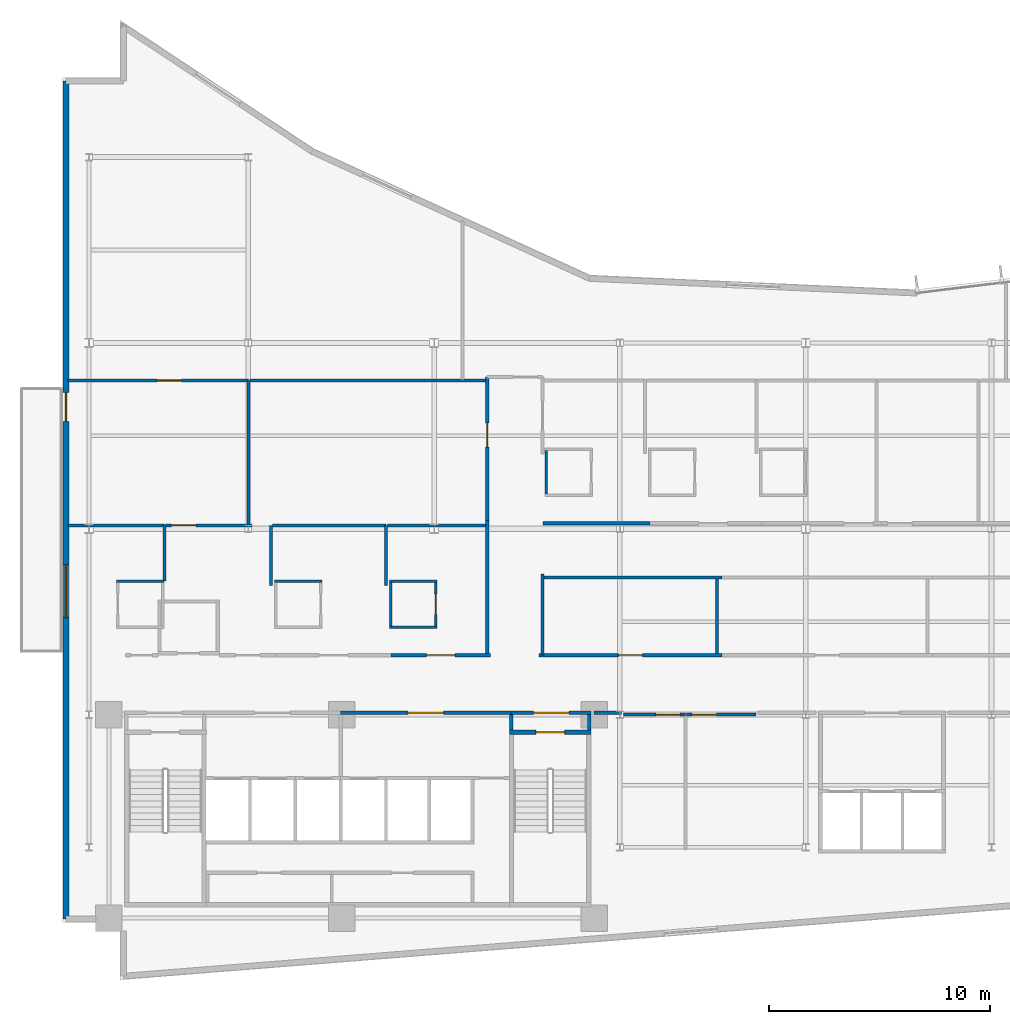
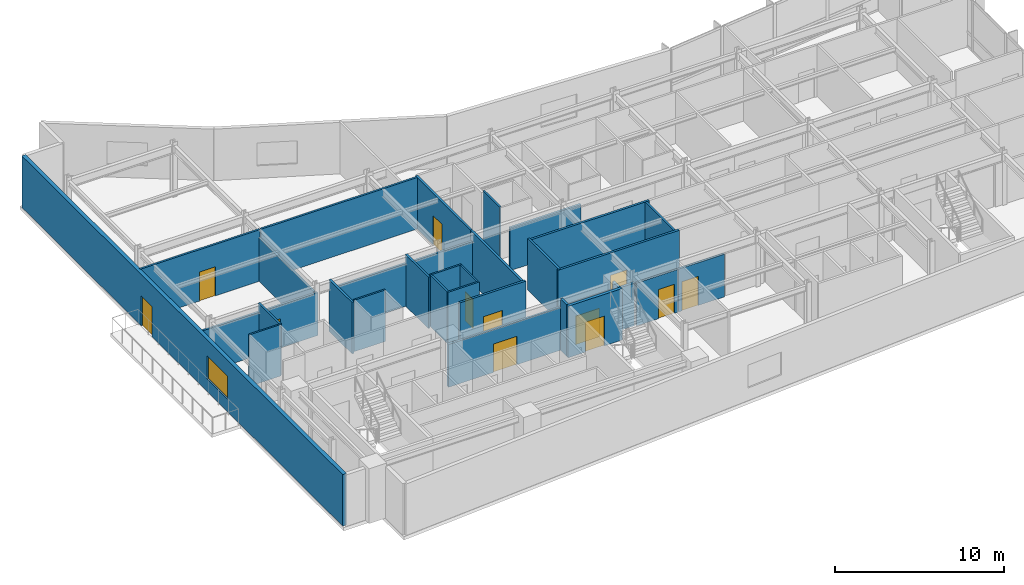
# One storey, part 11 of 18: 34 walls, 12 doors, 1 window, 13 openings.
"""IFC4 building model written with IfcOpenShell, lengths in metres."""

from ifc_helpers import new_model, si_unit, direction, frame, frame_2d, origin, place, context, subcontext, project, spatial, rectangle, extrude, material, layer, layer_set, type_object, element, fill, save


model = new_model("IFC4")

# Units and contexts
model_context = context("Model", 3, precision=1e-05, world=origin(), true_north=direction((0.0, 1.0)))
body_context = subcontext(model_context, "Body", "Model", "MODEL_VIEW")
ifc_project = project(units=[si_unit("LENGTHUNIT", "METRE"), si_unit("AREAUNIT", "SQUARE_METRE"), si_unit("VOLUMEUNIT", "CUBIC_METRE"), si_unit("PLANEANGLEUNIT", "RADIAN"), si_unit("MASSUNIT", "GRAM", prefix="KILO")], contexts=[model_context])

# Site, building, storey
site_placement = place(None, origin())
site = spatial("IfcSite", under=ifc_project, at=site_placement, CompositionType="ELEMENT")
building_placement = place(site_placement, origin())
building = spatial("IfcBuilding", under=site, at=building_placement, Name="Varnakote Quay Hospital", CompositionType="ELEMENT")
storey_placement = place(building_placement, frame((0.0, 0.0, 123.10009765625)))
storey = spatial("IfcBuildingStorey", under=building, at=storey_placement, Name="L30", CompositionType="ELEMENT", Elevation=123.10009765625)

# Wall, opening, door
ifc_material_1 = material(Name="Fire-rated acoustic gypsum stud wall", Category="gypsum")
ifc_layer_1 = layer(ifc_material_1, 0.159912109375)
ifc_layer_set_1 = layer_set([ifc_layer_1], Name="Fire-rated acoustic gypsum stud wall")
wall_type_1 = type_object("IfcWallType", Name="WL-COMP-160", PredefinedType="PARTITIONING", material=ifc_layer_set_1)
wall_1_placement = place(storey_placement, frame((12.580078125, 12.080078125, 0.0), z_axis=(0.0, 0.0, 1.0), x_axis=(1.0, 0.0, 0.0)))
wall_1 = element("IfcWall", 1, at=wall_1_placement, inside=storey, type_object=wall_type_1, Name="L30 Clinical Bed Lift Lobby Wall", PredefinedType="PARTITIONING", context=body_context, shape_type="SweptSolid", body=[
    extrude(rectangle(XDim=7.699951171875, YDim=0.159912109375, at=frame_2d((3.85009765625, 0.0))), origin(), (0.0, 0.0, 1.0), 3.0830078125),
])
opening_1_placement = place(wall_1_placement, frame((3.050048828125, 0.0, 0.0)))
opening_1 = element("IfcOpeningElement", 2, at=opening_1_placement, cuts=wall_1, Name="Opening D-SVL-L30", PredefinedType="OPENING", context=body_context, shape_type="SweptSolid", body=[
    extrude(rectangle(XDim=1.60009765625, YDim=2.050048828125, at=frame_2d((0.800048828125, 1.02490234375))), frame((0.0, 0.08984375, 0.0), z_axis=(0.0, -1.0, 0.0), x_axis=(1.0, 0.0, 0.0)), (0.0, 0.0, 1.0), 0.179931640625),
])
ifc_material_2 = material(Name="Fire-rated double smoke lobby door")
door_type_1 = type_object("IfcDoorType", Name="DR-LOBBY-FD60S-1600x2150", OperationType="NOTDEFINED", PredefinedType="DOOR", material=ifc_material_2)
door_1_placement = place(opening_1_placement, origin())
door_1 = element("IfcDoor", 3, at=door_1_placement, inside=storey, type_object=door_type_1, Name="L30 Clinical Core Smoke Vestibule Door", OperationType="DOUBLE_DOOR_SINGLE_SWING", OverallHeight=2.050048828125, OverallWidth=1.60009765625, PredefinedType="DOOR", context=body_context, shape_type="SweptSolid", body=[
    extrude(rectangle(XDim=1.60009765625, YDim=2.050048828125, at=frame_2d((0.800048828125, 1.02490234375))), frame((0.0, 0.02490234375, 0.0), z_axis=(0.0, -1.0, 0.0), x_axis=(1.0, 0.0, 0.0)), (0.0, 0.0, 1.0), 0.050048828125),
])
fill(opening_1, door_1)

# Wall
wall_2_placement = place(storey_placement, frame((20.280029296875, 11.300048828125, 0.0), z_axis=(0.0, 0.0, 1.0), x_axis=(0.0, 1.0, 0.0)))
element("IfcWall", 4, at=wall_2_placement, inside=storey, type_object=wall_type_1, Name="L30 East Stair Vestibule Divider Wall", PredefinedType="PARTITIONING", context=body_context, shape_type="SweptSolid", body=[
    extrude(rectangle(XDim=0.699951171875, YDim=0.159912109375, at=frame_2d((0.35009765625, 0.0))), origin(), (0.0, 0.0, 1.0), 3.7099609375),
])

# Wall, opening, door
wall_3_placement = place(storey_placement, frame((20.280029296875, 12.080078125, 0.0), z_axis=(0.0, 0.0, 1.0), x_axis=(1.0, 0.0, 0.0)))
wall_3 = element("IfcWall", 5, at=wall_3_placement, inside=storey, type_object=wall_type_1, Name="L30 East Stair Vestibule Smoke Wall", PredefinedType="PARTITIONING", context=body_context, shape_type="SweptSolid", body=[
    extrude(rectangle(XDim=3.619873046875, YDim=0.159912109375, at=frame_2d((1.81005859375, 0.0))), origin(), (0.0, 0.0, 1.0), 3.0830078125),
])
opening_2_placement = place(wall_3_placement, frame((1.010009765625, 0.0, 0.0)))
opening_2 = element("IfcOpeningElement", 6, at=opening_2_placement, cuts=wall_3, Name="Opening D-ST2L-L30", PredefinedType="OPENING", context=body_context, shape_type="SweptSolid", body=[
    extrude(rectangle(XDim=1.60009765625, YDim=2.050048828125, at=frame_2d((0.800048828125, 1.02490234375))), frame((0.0, 0.08984375, 0.0), z_axis=(0.0, -1.0, 0.0), x_axis=(1.0, 0.0, 0.0)), (0.0, 0.0, 1.0), 0.179931640625),
])
door_2_placement = place(opening_2_placement, origin())
door_2 = element("IfcDoor", 7, at=door_2_placement, inside=storey, type_object=door_type_1, Name="L30 East Stair Vestibule Smoke Door", OperationType="DOUBLE_DOOR_SINGLE_SWING", OverallHeight=2.050048828125, OverallWidth=1.60009765625, PredefinedType="DOOR", context=body_context, shape_type="SweptSolid", body=[
    extrude(rectangle(XDim=1.60009765625, YDim=2.050048828125, at=frame_2d((0.800048828125, 1.02490234375))), frame((0.0, 0.02490234375, 0.0), z_axis=(0.0, -1.0, 0.0), x_axis=(1.0, 0.0, 0.0)), (0.0, 0.0, 1.0), 0.050048828125),
])
fill(opening_2, door_2)

# Walls
wall_4_placement = place(storey_placement, frame((23.820068359375, 11.300048828125, 0.0), z_axis=(0.0, 0.0, 1.0), x_axis=(0.0, 1.0, 0.0)))
element("IfcWall", 8, at=wall_4_placement, inside=storey, type_object=wall_type_1, Name="L30 East Stair Vestibule East Wall", PredefinedType="PARTITIONING", context=body_context, shape_type="SweptSolid", body=[
    extrude(rectangle(XDim=0.699951171875, YDim=0.159912109375, at=frame_2d((0.35009765625, 0.0))), origin(), (0.0, 0.0, 1.0), 3.7099609375),
])
wall_5_placement = place(storey_placement, frame((24.02001953125, 12.080078125, 0.0), z_axis=(0.0, 0.0, 1.0), x_axis=(1.0, 0.0, 0.0)))
element("IfcWall", 9, at=wall_5_placement, inside=storey, type_object=wall_type_1, Name="L30 Corridor South Gap Wall", PredefinedType="PARTITIONING", context=body_context, shape_type="SweptSolid", body=[
    extrude(rectangle(XDim=1.2451171875, YDim=0.159912109375, at=frame_2d((0.62255859375, 0.0))), origin(), (0.0, 0.0, 1.0), 3.0830078125),
])
ifc_material_3 = material(Name="Moisture-resistant bathroom partition", Category="gypsum")
ifc_layer_2 = layer(ifc_material_3, 0.114990234375)
ifc_layer_set_2 = layer_set([ifc_layer_2], Name="Moisture-resistant bathroom partition")
wall_type_2 = type_object("IfcWallType", Name="WL-ENS-115", PredefinedType="PARTITIONING", material=ifc_layer_set_2)
wall_6_placement = place(storey_placement, frame((2.43505859375, 18.017578125, 0.0), z_axis=(0.0, 0.0, 1.0), x_axis=(1.0, 0.0, 0.0)))
element("IfcWall", 10, at=wall_6_placement, inside=storey, type_object=wall_type_2, Name="L30 Inpatient En-Suite Bathroom 01 N Wall", PredefinedType="PARTITIONING", context=body_context, shape_type="SweptSolid", body=[
    extrude(rectangle(XDim=2.14990234375, YDim=0.114990234375, at=frame_2d((1.074951171875, 0.0))), origin(), (0.0, 0.0, 1.0), 3.7099609375),
])
for number, where, z_axis, x_axis, name in (
    (11, (9.574951171875, 18.017578125, 0.0), (0.0, 0.0, 1.0), (1.0, 0.0, 0.0), "L30 Inpatient En-Suite Bathroom 02 N Wall"),
    (12, (14.77490234375, 15.952392578125, 0.0), (0.0, 0.0, 1.0), (1.0, 0.0, 0.0), "L30 Inpatient En-Suite Bathroom 03 S Wall"),
    (13, (14.77490234375, 18.017578125, 0.0), (0.0, 0.0, 1.0), (1.0, 0.0, 0.0), "L30 Inpatient En-Suite Bathroom 03 N Wall"),
):
    element("IfcWall", number, at=place(storey_placement, frame(where, z_axis=z_axis, x_axis=x_axis)), inside=storey, type_object=wall_type_2, Name=name, PredefinedType="PARTITIONING", context=body_context, shape_type="SweptSolid", body=[
        extrude(rectangle(XDim=2.150146484375, YDim=0.114990234375, at=frame_2d((1.0751953125, 0.0))), origin(), (0.0, 0.0, 1.0), 3.7099609375),
    ])
wall_7_placement = place(storey_placement, frame((14.83251953125, 16.010009765625, 0.0), z_axis=(0.0, 0.0, 1.0), x_axis=(0.0, 1.0, 0.0)))
element("IfcWall", 14, at=wall_7_placement, inside=storey, type_object=wall_type_2, Name="L30 Inpatient En-Suite Bathroom 03 W Wall", PredefinedType="PARTITIONING", context=body_context, shape_type="SweptSolid", body=[
    extrude(rectangle(XDim=1.949951171875, YDim=0.114990234375, at=frame_2d((0.97509765625, 0.0))), origin(), (0.0, 0.0, 1.0), 3.7099609375),
])

# Wall, opening, door
wall_8_placement = place(storey_placement, frame((16.867431640625, 16.010009765625, 0.0), z_axis=(0.0, 0.0, 1.0), x_axis=(0.0, 1.0, 0.0)))
wall_8 = element("IfcWall", 15, at=wall_8_placement, inside=storey, type_object=wall_type_2, Name="L30 Inpatient En-Suite Bathroom 03 E Wall", PredefinedType="PARTITIONING", context=body_context, shape_type="SweptSolid", body=[
    extrude(rectangle(XDim=1.949951171875, YDim=0.114990234375, at=frame_2d((0.97509765625, 0.0))), origin(), (0.0, 0.0, 1.0), 3.7099609375),
])
opening_3_placement = place(wall_8_placement, frame((0.514892578125, 0.0, 0.0)))
opening_3 = element("IfcOpeningElement", 16, at=opening_3_placement, cuts=wall_8, Name="Opening D-L30-ENS03", PredefinedType="OPENING", context=body_context, shape_type="SweptSolid", body=[
    extrude(rectangle(XDim=0.919921875, YDim=2.10009765625, at=frame_2d((0.4599609375, 1.050048828125))), frame((0.0, 0.0673828125, 0.0), z_axis=(0.0, -1.0, 0.0), x_axis=(1.0, 0.0, 0.0)), (0.0, 0.0, 1.0), 0.135009765625),
])
ifc_material_4 = material(Name="Moisture-sealed en-suite bathroom door")
door_type_2 = type_object("IfcDoorType", Name="DR-ENS-920x2100", OperationType="NOTDEFINED", PredefinedType="DOOR", material=ifc_material_4)
door_3_placement = place(opening_3_placement, origin())
door_3 = element("IfcDoor", 17, at=door_3_placement, inside=storey, type_object=door_type_2, Name="L30 Inpatient En-Suite Bathroom 03 Door", OperationType="SINGLE_SWING_RIGHT", OverallHeight=2.10009765625, OverallWidth=0.919921875, PredefinedType="DOOR", context=body_context, shape_type="SweptSolid", body=[
    extrude(rectangle(XDim=0.919921875, YDim=2.10009765625, at=frame_2d((0.4599609375, 1.050048828125))), frame((0.0, 0.02490234375, 0.0), z_axis=(0.0, -1.0, 0.0), x_axis=(1.0, 0.0, 0.0)), (0.0, 0.0, 1.0), 0.050048828125),
])
fill(opening_3, door_3)

# Wall
wall_9_placement = place(storey_placement, frame((21.862548828125, 21.97998046875, 0.0), z_axis=(0.0, 0.0, 1.0), x_axis=(0.0, 1.0, 0.0)))
element("IfcWall", 18, at=wall_9_placement, inside=storey, type_object=wall_type_2, Name="L30 Inpatient En-Suite Bathroom 04 W Wall", PredefinedType="PARTITIONING", context=body_context, shape_type="SweptSolid", body=[
    extrude(rectangle(XDim=1.949951171875, YDim=0.114990234375, at=frame_2d((0.97509765625, 0.0))), origin(), (0.0, 0.0, 1.0), 3.7099609375),
])

# Wall, openings, door, window
ifc_material_5 = material(Name="Precast concrete N50 (f'c 50 MPa)", Category="concrete")
ifc_layer_3 = layer(ifc_material_5, 0.260009765625)
ifc_layer_set_3 = layer_set([ifc_layer_3], Name="Precast concrete N50 (f'c 50 MPa)")
wall_type_3 = type_object("IfcWallType", Name="WL-EXT-BRICK-260", PredefinedType="STANDARD", material=ifc_layer_set_3)
wall_10_placement = place(storey_placement, frame((0.159912109375, 40.639892578125, 0.0), z_axis=(0.0, 0.0, 1.0), x_axis=(0.0, -1.0, 0.0)))
wall_10 = element("IfcWall", 19, at=wall_10_placement, inside=storey, type_object=wall_type_3, Name="L30 Healing Terrace Portal Brick Wall", PredefinedType="STANDARD", context=body_context, shape_type="SweptSolid", body=[
    extrude(rectangle(XDim=37.8798828125, YDim=0.260009765625, at=frame_2d((18.93994140625, 0.0))), origin(), (0.0, 0.0, 1.0), 3.7099609375),
])
opening_4_placement = place(wall_10_placement, frame((14.0810546875, 0.0, 0.0)))
opening_4 = element("IfcOpeningElement", 20, at=opening_4_placement, cuts=wall_10, Name="Opening DT-L30", PredefinedType="OPENING", context=body_context, shape_type="SweptSolid", body=[
    extrude(rectangle(XDim=1.300048828125, YDim=2.14990234375, at=frame_2d((0.64990234375, 1.074951171875))), frame((0.0, 0.139892578125, 0.0), z_axis=(0.0, -1.0, 0.0), x_axis=(1.0, 0.0, 0.0)), (0.0, 0.0, 1.0), 0.280029296875),
])
opening_5_placement = place(wall_10_placement, frame((21.856201171875, 0.0, 0.89990234375)))
opening_5 = element("IfcOpeningElement", 21, at=opening_5_placement, cuts=wall_10, Name="Opening WN-0312", PredefinedType="OPENING", context=body_context, shape_type="SweptSolid", body=[
    extrude(rectangle(XDim=2.39990234375, YDim=1.64990234375, at=frame_2d((1.199951171875, 0.824951171875))), frame((0.0, 0.139892578125, 0.0), z_axis=(0.0, -1.0, 0.0), x_axis=(1.0, 0.0, 0.0)), (0.0, 0.0, 1.0), 0.280029296875),
])
ifc_material_6 = material(Name="Anodised aluminium glazed terrace door", Category="aluminium")
door_type_3 = type_object("IfcDoorType", Name="DR-EXT-TERR-1300x2150", OperationType="NOTDEFINED", PredefinedType="DOOR", material=ifc_material_6)
door_4_placement = place(opening_4_placement, origin())
door_4 = element("IfcDoor", 22, at=door_4_placement, inside=storey, type_object=door_type_3, Name="L30 Waterfront Healing Terrace Door", OperationType="SINGLE_SWING_LEFT", OverallHeight=2.14990234375, OverallWidth=1.300048828125, PredefinedType="DOOR", context=body_context, shape_type="SweptSolid", body=[
    extrude(rectangle(XDim=1.300048828125, YDim=2.14990234375, at=frame_2d((0.64990234375, 1.074951171875))), frame((0.0, 0.02490234375, 0.0), z_axis=(0.0, -1.0, 0.0), x_axis=(1.0, 0.0, 0.0)), (0.0, 0.0, 1.0), 0.050048828125),
])
fill(opening_4, door_4)
ifc_material_7 = material(Name="Double-glazed low-E solar glass", Category="glass")
window_type = type_object("IfcWindowType", Name="WIN-CLIN-2400x1650", PartitioningType="SINGLE_PANEL", PredefinedType="WINDOW", material=ifc_material_7)
window_placement = place(opening_5_placement, origin())
window = element("IfcWindow", 23, at=window_placement, inside=storey, type_object=window_type, Name="L30 Solar-Control Clinical Window", OverallHeight=1.64990234375, OverallWidth=2.39990234375, PartitioningType="SINGLE_PANEL", PredefinedType="WINDOW", context=body_context, shape_type="SweptSolid", body=[
    extrude(rectangle(XDim=2.39990234375, YDim=1.64990234375, at=frame_2d((1.199951171875, 0.824951171875))), frame((0.0, 0.030029296875, 0.0), z_axis=(0.0, -1.0, 0.0), x_axis=(1.0, 0.0, 0.0)), (0.0, 0.0, 1.0), 0.06005859375),
])
fill(opening_5, window)

# Wall, opening, door
ifc_material_8 = material(Name="Concrete N50 (f'c 50 MPa)", Category="concrete")
ifc_layer_4 = layer(ifc_material_8, 0.199951171875)
ifc_layer_set_4 = layer_set([ifc_layer_4], Name="Concrete N50 (f'c 50 MPa)")
wall_type_4 = type_object("IfcWallType", Name="WL-SHAFT-N50-200", PredefinedType="SHEAR", material=ifc_layer_set_4)
wall_11_placement = place(storey_placement, frame((20.199951171875, 11.199951171875, 0.0), z_axis=(0.0, 0.0, 1.0), x_axis=(1.0, 0.0, 0.0)))
wall_11 = element("IfcWall", 24, at=wall_11_placement, inside=storey, type_object=wall_type_4, Name="L30 Stair ST2 Exit Wall", PredefinedType="SHEAR", context=body_context, shape_type="SweptSolid", body=[
    extrude(rectangle(XDim=3.699951171875, YDim=0.199951171875, at=frame_2d((1.85009765625, 0.0))), origin(), (0.0, 0.0, 1.0), 3.7099609375),
])
opening_6_placement = place(wall_11_placement, frame((1.199951171875, 0.0, 0.0)))
opening_6 = element("IfcOpeningElement", 25, at=opening_6_placement, cuts=wall_11, Name="Opening D-ST2-L30", PredefinedType="OPENING", context=body_context, shape_type="SweptSolid", body=[
    extrude(rectangle(XDim=1.300048828125, YDim=2.14990234375, at=frame_2d((0.64990234375, 1.074951171875))), frame((0.0, 0.10986328125, 0.0), z_axis=(0.0, -1.0, 0.0), x_axis=(1.0, 0.0, 0.0)), (0.0, 0.0, 1.0), 0.219970703125),
])
ifc_material_9 = material(Name="Fire-rated ceramic-glazed timber exit door", Category="wood")
door_type_4 = type_object("IfcDoorType", Name="DR-STAIR-FD60S-1300x2150", OperationType="NOTDEFINED", PredefinedType="DOOR", material=ifc_material_9)
door_5_placement = place(opening_6_placement, origin())
door_5 = element("IfcDoor", 26, at=door_5_placement, inside=storey, type_object=door_type_4, Name="L30 Stair ST2 Fire Exit Door", OperationType="SINGLE_SWING_RIGHT", OverallHeight=2.14990234375, OverallWidth=1.300048828125, PredefinedType="DOOR", context=body_context, shape_type="SweptSolid", body=[
    extrude(rectangle(XDim=1.300048828125, YDim=2.14990234375, at=frame_2d((0.64990234375, 1.074951171875))), frame((0.0, 0.02490234375, 0.0), z_axis=(0.0, -1.0, 0.0), x_axis=(1.0, 0.0, 0.0)), (0.0, 0.0, 1.0), 0.050048828125),
])
fill(opening_6, door_5)

# Walls
ifc_material_10 = material(Name="Smoke-proof clinical partition", Category="gypsum")
ifc_layer_5 = layer(ifc_material_10, 0.135009765625)
ifc_layer_set_5 = layer_set([ifc_layer_5], Name="Smoke-proof clinical partition")
wall_type_5 = type_object("IfcWallType", Name="WL-SMOKE-135", PredefinedType="PARTITIONING", material=ifc_layer_set_5)
wall_12_placement = place(storey_placement, frame((4.610107421875, 18.0400390625, 0.0), z_axis=(0.0, 0.0, 1.0), x_axis=(0.0, 1.0, 0.0)))
element("IfcWall", 27, at=wall_12_placement, inside=storey, type_object=wall_type_5, Name="L30 Clinical Interior Partition", PredefinedType="PARTITIONING", context=body_context, shape_type="SweptSolid", body=[
    extrude(rectangle(XDim=2.510009765625, YDim=0.135009765625, at=frame_2d((1.2548828125, 0.0))), origin(), (0.0, 0.0, 1.0), 3.7099609375),
])
wall_13_placement = place(storey_placement, frame((4.610107421875, 20.550048828125, 0.0), z_axis=(0.0, 0.0, 1.0), x_axis=(-1.0, 0.0, 0.0)))
element("IfcWall", 28, at=wall_13_placement, inside=storey, type_object=wall_type_5, Name="L30 Clinical Interior Partition", PredefinedType="PARTITIONING", context=body_context, shape_type="SweptSolid", body=[
    extrude(rectangle(XDim=4.3701171875, YDim=0.135009765625, at=frame_2d((2.18505859375, 0.0))), origin(), (0.0, 0.0, 1.0), 3.0830078125),
])
wall_14_placement = place(storey_placement, frame((9.429931640625, 17.83251953125, 0.0), z_axis=(0.0, 0.0, 1.0), x_axis=(0.0, 1.0, 0.0)))
element("IfcWall", 29, at=wall_14_placement, inside=storey, type_object=wall_type_5, Name="L30 Clinical Interior Partition", PredefinedType="PARTITIONING", context=body_context, shape_type="SweptSolid", body=[
    extrude(rectangle(XDim=2.717529296875, YDim=0.135009765625, at=frame_2d((1.35888671875, 0.0))), origin(), (0.0, 0.0, 1.0), 3.7099609375),
])

# Wall, opening, door
wall_15_placement = place(storey_placement, frame((8.568359375, 20.550048828125, 0.0), z_axis=(0.0, 0.0, 1.0), x_axis=(-1.0, 0.0, 0.0)))
wall_15 = element("IfcWall", 30, at=wall_15_placement, inside=storey, type_object=wall_type_5, Name="L30 Clinical Interior Partition", PredefinedType="PARTITIONING", context=body_context, shape_type="SweptSolid", body=[
    extrude(rectangle(XDim=3.90087890625, YDim=0.135009765625, at=frame_2d((1.950439453125, 0.0))), origin(), (0.0, 0.0, 1.0), 3.0830078125),
])
opening_7_placement = place(wall_15_placement, frame((2.540771484375, 0.0, 0.0)))
opening_7 = element("IfcOpeningElement", 31, at=opening_7_placement, cuts=wall_15, Name="Opening D-L30-DLNG", PredefinedType="OPENING", context=body_context, shape_type="SweptSolid", body=[
    extrude(rectangle(XDim=1.10009765625, YDim=2.10009765625, at=frame_2d((0.550048828125, 1.050048828125))), frame((0.0, 0.077392578125, 0.0), z_axis=(0.0, -1.0, 0.0), x_axis=(1.0, 0.0, 0.0)), (0.0, 0.0, 1.0), 0.155029296875),
])
ifc_material_11 = material(Name="Acoustic timber clinical consult door", Category="wood")
door_type_5 = type_object("IfcDoorType", Name="DR-CLIN-FD30S-1100x2100", OperationType="NOTDEFINED", PredefinedType="DOOR", material=ifc_material_11)
door_6_placement = place(opening_7_placement, origin())
door_6 = element("IfcDoor", 32, at=door_6_placement, inside=storey, type_object=door_type_5, Name="L30 Waterfront Patient & Family Dayroom Door", OperationType="SINGLE_SWING_RIGHT", OverallHeight=2.10009765625, OverallWidth=1.10009765625, PredefinedType="DOOR", context=body_context, shape_type="SweptSolid", body=[
    extrude(rectangle(XDim=1.10009765625, YDim=2.10009765625, at=frame_2d((0.550048828125, 1.050048828125))), frame((0.0, 0.02490234375, 0.0), z_axis=(0.0, -1.0, 0.0), x_axis=(1.0, 0.0, 0.0)), (0.0, 0.0, 1.0), 0.050048828125),
])
fill(opening_7, door_6)

# Walls
wall_16_placement = place(storey_placement, frame((14.6298828125, 17.83251953125, 0.0), z_axis=(0.0, 0.0, 1.0), x_axis=(0.0, 1.0, 0.0)))
element("IfcWall", 33, at=wall_16_placement, inside=storey, type_object=wall_type_5, Name="L30 Clinical Interior Partition", PredefinedType="PARTITIONING", context=body_context, shape_type="SweptSolid", body=[
    extrude(rectangle(XDim=2.717529296875, YDim=0.135009765625, at=frame_2d((1.35888671875, 0.0))), origin(), (0.0, 0.0, 1.0), 3.7099609375),
])
wall_17_placement = place(storey_placement, frame((14.6298828125, 20.550048828125, 0.0), z_axis=(0.0, 0.0, 1.0), x_axis=(-1.0, 0.0, 0.0)))
element("IfcWall", 34, at=wall_17_placement, inside=storey, type_object=wall_type_5, Name="L30 Clinical Interior Partition", PredefinedType="PARTITIONING", context=body_context, shape_type="SweptSolid", body=[
    extrude(rectangle(XDim=5.142333984375, YDim=0.135009765625, at=frame_2d((2.5712890625, 0.0))), origin(), (0.0, 0.0, 1.0), 3.0830078125),
])
wall_18_placement = place(storey_placement, frame((19.1201171875, 20.550048828125, 0.0), z_axis=(0.0, 0.0, 1.0), x_axis=(-1.0, 0.0, 0.0)))
element("IfcWall", 35, at=wall_18_placement, inside=storey, type_object=wall_type_5, Name="L30 Clinical Interior Partition", PredefinedType="PARTITIONING", context=body_context, shape_type="SweptSolid", body=[
    extrude(rectangle(XDim=4.4326171875, YDim=0.135009765625, at=frame_2d((2.21630859375, 0.0))), origin(), (0.0, 0.0, 1.0), 3.0830078125),
])
wall_19_placement = place(storey_placement, frame((29.580078125, 14.760009765625, 0.0), z_axis=(0.0, 0.0, 1.0), x_axis=(0.0, 1.0, 0.0)))
element("IfcWall", 36, at=wall_19_placement, inside=storey, type_object=wall_type_5, Name="L30 Clinical Interior Partition", PredefinedType="PARTITIONING", context=body_context, shape_type="SweptSolid", body=[
    extrude(rectangle(XDim=3.360107421875, YDim=0.135009765625, at=frame_2d((1.68017578125, 0.0))), origin(), (0.0, 0.0, 1.0), 3.7099609375),
])
wall_20_placement = place(storey_placement, frame((8.409912109375, 20.607421875, 0.0), z_axis=(0.0, 0.0, 1.0), x_axis=(0.0, 1.0, 0.0)))
element("IfcWall", 37, at=wall_20_placement, inside=storey, type_object=wall_type_5, Name="L30 Clinical Interior Partition", PredefinedType="PARTITIONING", context=body_context, shape_type="SweptSolid", body=[
    extrude(rectangle(XDim=6.49267578125, YDim=0.135009765625, at=frame_2d((3.246337890625, 0.0))), origin(), (0.0, 0.0, 1.0), 3.15185546875),
])

# Wall, opening, door
wall_21_placement = place(storey_placement, frame((8.409912109375, 27.10009765625, 0.0), z_axis=(0.0, 0.0, 1.0), x_axis=(-1.0, 0.0, 0.0)))
wall_21 = element("IfcWall", 38, at=wall_21_placement, inside=storey, type_object=wall_type_5, Name="L30 Clinical Interior Partition", PredefinedType="PARTITIONING", context=body_context, shape_type="SweptSolid", body=[
    extrude(rectangle(XDim=8.169921875, YDim=0.135009765625, at=frame_2d((4.0849609375, 0.0))), origin(), (0.0, 0.0, 1.0), 3.7099609375),
])
opening_8_placement = place(wall_21_placement, frame((3.034912109375, 0.0, 0.0)))
opening_8 = element("IfcOpeningElement", 39, at=opening_8_placement, cuts=wall_21, Name="Opening D-L30-MD11", PredefinedType="OPENING", context=body_context, shape_type="SweptSolid", body=[
    extrude(rectangle(XDim=1.10009765625, YDim=2.10009765625, at=frame_2d((0.550048828125, 1.050048828125))), frame((0.0, 0.077392578125, 0.0), z_axis=(0.0, -1.0, 0.0), x_axis=(1.0, 0.0, 0.0)), (0.0, 0.0, 1.0), 0.155029296875),
])
door_7_placement = place(opening_8_placement, origin())
door_7 = element("IfcDoor", 40, at=door_7_placement, inside=storey, type_object=door_type_5, Name="L30 Perinatal Clinical Consultation Suite Door", OperationType="SINGLE_SWING_LEFT", OverallHeight=2.10009765625, OverallWidth=1.10009765625, PredefinedType="DOOR", context=body_context, shape_type="SweptSolid", body=[
    extrude(rectangle(XDim=1.10009765625, YDim=2.10009765625, at=frame_2d((0.550048828125, 1.050048828125))), frame((0.0, 0.02490234375, 0.0), z_axis=(0.0, -1.0, 0.0), x_axis=(1.0, 0.0, 0.0)), (0.0, 0.0, 1.0), 0.050048828125),
])
fill(opening_8, door_7)

# Wall
wall_22_placement = place(storey_placement, frame((19.135009765625, 27.10009765625, 0.0), z_axis=(0.0, 0.0, 1.0), x_axis=(-1.0, 0.0, 0.0)))
element("IfcWall", 41, at=wall_22_placement, inside=storey, type_object=wall_type_5, Name="L30 Clinical Interior Partition", PredefinedType="PARTITIONING", context=body_context, shape_type="SweptSolid", body=[
    extrude(rectangle(XDim=10.66748046875, YDim=0.135009765625, at=frame_2d((5.333740234375, 0.0))), origin(), (0.0, 0.0, 1.0), 3.7099609375),
])

# Wall, opening, door
ifc_material_12 = material(Name="Fire-rated clinical gypsum partition", Category="gypsum")
ifc_layer_6 = layer(ifc_material_12, 0.14990234375)
ifc_layer_set_6 = layer_set([ifc_layer_6], Name="Fire-rated clinical gypsum partition")
wall_type_6 = type_object("IfcWallType", Name="WL-WARD-150", PredefinedType="PARTITIONING", material=ifc_layer_set_6)
wall_23_placement = place(storey_placement, frame((28.159912109375, 12.0, 0.0), z_axis=(0.0, 0.0, 1.0), x_axis=(-1.0, 0.0, 0.0)))
wall_23 = element("IfcWall", 42, at=wall_23_placement, inside=storey, type_object=wall_type_6, Name="L30 Clinical Interior Partition", PredefinedType="PARTITIONING", context=body_context, shape_type="SweptSolid", body=[
    extrude(rectangle(XDim=2.805419921875, YDim=0.14990234375, at=frame_2d((1.40283203125, 0.0))), origin(), (0.0, 0.0, 1.0), 3.0830078125),
])
opening_9_placement = place(wall_23_placement, frame((0.232666015625, 0.0, 0.0)))
opening_9 = element("IfcOpeningElement", 43, at=opening_9_placement, cuts=wall_23, Name="Opening D-L30-RL1", PredefinedType="OPENING", context=body_context, shape_type="SweptSolid", body=[
    extrude(rectangle(XDim=1.10009765625, YDim=2.10009765625, at=frame_2d((0.550048828125, 1.050048828125))), frame((0.0, 0.0849609375, 0.0), z_axis=(0.0, -1.0, 0.0), x_axis=(1.0, 0.0, 0.0)), (0.0, 0.0, 1.0), 0.169921875),
])
door_8_placement = place(opening_9_placement, origin())
door_8 = element("IfcDoor", 44, at=door_8_placement, inside=storey, type_object=door_type_5, Name="L30 Day Infusion Treatment Suite Door", OperationType="SINGLE_SWING_RIGHT", OverallHeight=2.10009765625, OverallWidth=1.10009765625, PredefinedType="DOOR", context=body_context, shape_type="SweptSolid", body=[
    extrude(rectangle(XDim=1.10009765625, YDim=2.10009765625, at=frame_2d((0.550048828125, 1.050048828125))), frame((0.0, 0.02490234375, 0.0), z_axis=(0.0, -1.0, 0.0), x_axis=(1.0, 0.0, 0.0)), (0.0, 0.0, 1.0), 0.050048828125),
])
fill(opening_9, door_8)

wall_24_placement = place(storey_placement, frame((31.35009765625, 12.0, 0.0), z_axis=(0.0, 0.0, 1.0), x_axis=(-1.0, 0.0, 0.0)))
wall_24 = element("IfcWall", 45, at=wall_24_placement, inside=storey, type_object=wall_type_6, Name="L30 Clinical Interior Partition", PredefinedType="PARTITIONING", context=body_context, shape_type="SweptSolid", body=[
    extrude(rectangle(XDim=3.132568359375, YDim=0.14990234375, at=frame_2d((1.56640625, 0.0))), origin(), (0.0, 0.0, 1.0), 3.0830078125),
])
opening_10_placement = place(wall_24_placement, frame((1.791748046875, 0.0, 0.0)))
opening_10 = element("IfcOpeningElement", 46, at=opening_10_placement, cuts=wall_24, Name="Opening D-L30-RL2", PredefinedType="OPENING", context=body_context, shape_type="SweptSolid", body=[
    extrude(rectangle(XDim=1.10009765625, YDim=2.10009765625, at=frame_2d((0.550048828125, 1.050048828125))), frame((0.0, 0.0849609375, 0.0), z_axis=(0.0, -1.0, 0.0), x_axis=(1.0, 0.0, 0.0)), (0.0, 0.0, 1.0), 0.169921875),
])
door_9_placement = place(opening_10_placement, origin())
door_9 = element("IfcDoor", 47, at=door_9_placement, inside=storey, type_object=door_type_5, Name="L30 Telemedicine Consult Office Door", OperationType="SINGLE_SWING_LEFT", OverallHeight=2.10009765625, OverallWidth=1.10009765625, PredefinedType="DOOR", context=body_context, shape_type="SweptSolid", body=[
    extrude(rectangle(XDim=1.10009765625, YDim=2.10009765625, at=frame_2d((0.550048828125, 1.050048828125))), frame((0.0, 0.02490234375, 0.0), z_axis=(0.0, -1.0, 0.0), x_axis=(1.0, 0.0, 0.0)), (0.0, 0.0, 1.0), 0.050048828125),
])
fill(opening_10, door_9)

wall_25_placement = place(storey_placement, frame((19.345947265625, 14.679931640625, 0.0), z_axis=(0.0, 0.0, 1.0), x_axis=(-1.0, 0.0, 0.0)))
wall_25 = element("IfcWall", 48, at=wall_25_placement, inside=storey, type_object=wall_type_6, Name="L30 Clinical Interior Partition", PredefinedType="PARTITIONING", context=body_context, shape_type="SweptSolid", body=[
    extrude(rectangle(XDim=4.488037109375, YDim=0.14990234375, at=frame_2d((2.244140625, 0.0))), origin(), (0.0, 0.0, 1.0), 3.7099609375),
])
opening_11_placement = place(wall_25_placement, frame((1.593994140625, 0.0, 0.0)))
opening_11 = element("IfcOpeningElement", 49, at=opening_11_placement, cuts=wall_25, Name="Opening D-L30-BR03", PredefinedType="OPENING", context=body_context, shape_type="SweptSolid", body=[
    extrude(rectangle(XDim=1.300048828125, YDim=2.14990234375, at=frame_2d((0.64990234375, 1.074951171875))), frame((0.0, 0.0849609375, 0.0), z_axis=(0.0, -1.0, 0.0), x_axis=(1.0, 0.0, 0.0)), (0.0, 0.0, 1.0), 0.169921875),
])
ifc_material_13 = material(Name="Solid-core timber clinical bed door", Category="wood")
door_type_6 = type_object("IfcDoorType", Name="DR-WARD-FD30S-1300x2150", OperationType="NOTDEFINED", PredefinedType="DOOR", material=ifc_material_13)
door_10_placement = place(opening_11_placement, origin())
door_10 = element("IfcDoor", 50, at=door_10_placement, inside=storey, type_object=door_type_6, Name="L30 Resident Care Bedroom 03 Door", OperationType="SINGLE_SWING_RIGHT", OverallHeight=2.14990234375, OverallWidth=1.300048828125, PredefinedType="DOOR", context=body_context, shape_type="SweptSolid", body=[
    extrude(rectangle(XDim=1.300048828125, YDim=2.14990234375, at=frame_2d((0.64990234375, 1.074951171875))), frame((0.0, 0.02490234375, 0.0), z_axis=(0.0, -1.0, 0.0), x_axis=(1.0, 0.0, 0.0)), (0.0, 0.0, 1.0), 0.050048828125),
])
fill(opening_11, door_10)

wall_26_placement = place(storey_placement, frame((29.805908203125, 14.679931640625, 0.0), z_axis=(0.0, 0.0, 1.0), x_axis=(-1.0, 0.0, 0.0)))
wall_26 = element("IfcWall", 51, at=wall_26_placement, inside=storey, type_object=wall_type_6, Name="L30 Clinical Interior Partition", PredefinedType="PARTITIONING", context=body_context, shape_type="SweptSolid", body=[
    extrude(rectangle(XDim=8.251953125, YDim=0.14990234375, at=frame_2d((4.1259765625, 0.0))), origin(), (0.0, 0.0, 1.0), 3.7099609375),
])
opening_12_placement = place(wall_26_placement, frame((3.575927734375, 0.0, 0.0)))
opening_12 = element("IfcOpeningElement", 52, at=opening_12_placement, cuts=wall_26, Name="Opening D-L30-MD02", PredefinedType="OPENING", context=body_context, shape_type="SweptSolid", body=[
    extrude(rectangle(XDim=1.10009765625, YDim=2.10009765625, at=frame_2d((0.550048828125, 1.050048828125))), frame((0.0, 0.0849609375, 0.0), z_axis=(0.0, -1.0, 0.0), x_axis=(1.0, 0.0, 0.0)), (0.0, 0.0, 1.0), 0.169921875),
])
door_11_placement = place(opening_12_placement, origin())
door_11 = element("IfcDoor", 53, at=door_11_placement, inside=storey, type_object=door_type_5, Name="L30 Specialty Ward Treatment Suite Door", OperationType="SINGLE_SWING_LEFT", OverallHeight=2.10009765625, OverallWidth=1.10009765625, PredefinedType="DOOR", context=body_context, shape_type="SweptSolid", body=[
    extrude(rectangle(XDim=1.10009765625, YDim=2.10009765625, at=frame_2d((0.550048828125, 1.050048828125))), frame((0.0, 0.02490234375, 0.0), z_axis=(0.0, -1.0, 0.0), x_axis=(1.0, 0.0, 0.0)), (0.0, 0.0, 1.0), 0.050048828125),
])
fill(opening_12, door_11)

# Walls
wall_27_placement = place(storey_placement, frame((19.199951171875, 20.77587890625, 0.0), z_axis=(0.0, 0.0, 1.0), x_axis=(0.0, -1.0, 0.0)))
element("IfcWall", 54, at=wall_27_placement, inside=storey, type_object=wall_type_6, Name="L30 Clinical Interior Partition", PredefinedType="PARTITIONING", context=body_context, shape_type="SweptSolid", body=[
    extrude(rectangle(XDim=6.075927734375, YDim=0.14990234375, at=frame_2d((3.0380859375, 0.0))), origin(), (0.0, 0.0, 1.0), 3.7099609375),
])
wall_28_placement = place(storey_placement, frame((21.699951171875, 14.699951171875, 0.0), z_axis=(0.0, 0.0, 1.0), x_axis=(0.0, 1.0, 0.0)))
element("IfcWall", 55, at=wall_28_placement, inside=storey, type_object=wall_type_6, Name="L30 Clinical Interior Partition", PredefinedType="PARTITIONING", context=body_context, shape_type="SweptSolid", body=[
    extrude(rectangle(XDim=3.64599609375, YDim=0.14990234375, at=frame_2d((1.822998046875, 0.0))), origin(), (0.0, 0.0, 1.0), 3.7099609375),
])

# Wall, opening, door
wall_29_placement = place(storey_placement, frame((19.199951171875, 27.260009765625, 0.0), z_axis=(0.0, 0.0, 1.0), x_axis=(0.0, -1.0, 0.0)))
wall_29 = element("IfcWall", 56, at=wall_29_placement, inside=storey, type_object=wall_type_6, Name="L30 Clinical Interior Partition", PredefinedType="PARTITIONING", context=body_context, shape_type="SweptSolid", body=[
    extrude(rectangle(XDim=6.48193359375, YDim=0.14990234375, at=frame_2d((3.240966796875, 0.0))), origin(), (0.0, 0.0, 1.0), 3.7099609375),
])
opening_13_placement = place(wall_29_placement, frame((2.068359375, 0.0, 0.0)))
opening_13 = element("IfcOpeningElement", 57, at=opening_13_placement, cuts=wall_29, Name="Opening D-L30-MD06", PredefinedType="OPENING", context=body_context, shape_type="SweptSolid", body=[
    extrude(rectangle(XDim=1.10009765625, YDim=2.10009765625, at=frame_2d((0.550048828125, 1.050048828125))), frame((0.0, 0.0849609375, 0.0), z_axis=(0.0, -1.0, 0.0), x_axis=(1.0, 0.0, 0.0)), (0.0, 0.0, 1.0), 0.169921875),
])
door_12_placement = place(opening_13_placement, origin())
door_12 = element("IfcDoor", 58, at=door_12_placement, inside=storey, type_object=door_type_5, Name="L30 Specialty Ward Treatment Suite Door", OperationType="SINGLE_SWING_LEFT", OverallHeight=2.10009765625, OverallWidth=1.10009765625, PredefinedType="DOOR", context=body_context, shape_type="SweptSolid", body=[
    extrude(rectangle(XDim=1.10009765625, YDim=2.10009765625, at=frame_2d((0.550048828125, 1.050048828125))), frame((0.0, 0.02490234375, 0.0), z_axis=(0.0, -1.0, 0.0), x_axis=(1.0, 0.0, 0.0)), (0.0, 0.0, 1.0), 0.050048828125),
])
fill(opening_13, door_12)

# Walls
wall_30_placement = place(storey_placement, frame((21.719970703125, 18.199951171875, 0.0), z_axis=(0.0, 0.0, 1.0), x_axis=(1.0, 0.0, 0.0)))
element("IfcWall", 59, at=wall_30_placement, inside=storey, type_object=wall_type_6, Name="L30 Clinical Interior Partition", PredefinedType="PARTITIONING", context=body_context, shape_type="SweptSolid", body=[
    extrude(rectangle(XDim=8.0859375, YDim=0.14990234375, at=frame_2d((4.04296875, 0.0))), origin(), (0.0, 0.0, 1.0), 3.7099609375),
])
wall_31_placement = place(storey_placement, frame((26.56591796875, 20.64990234375, 0.0), z_axis=(0.0, 0.0, 1.0), x_axis=(-1.0, 0.0, 0.0)))
element("IfcWall", 60, at=wall_31_placement, inside=storey, type_object=wall_type_6, Name="L30 Clinical Interior Partition", PredefinedType="PARTITIONING", context=body_context, shape_type="SweptSolid", body=[
    extrude(rectangle(XDim=4.845947265625, YDim=0.14990234375, at=frame_2d((2.4228515625, 0.0))), origin(), (0.0, 0.0, 1.0), 3.0830078125),
])

save(model, "model.ifc")
